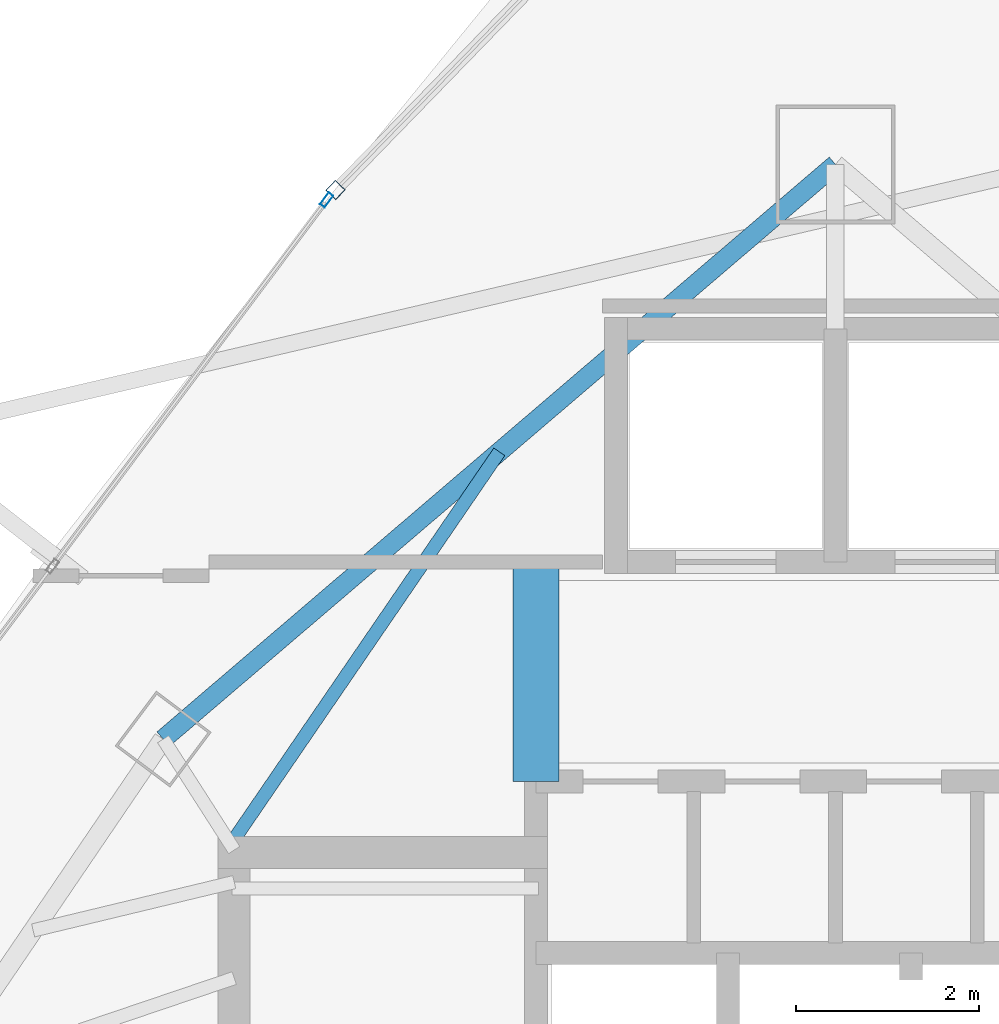
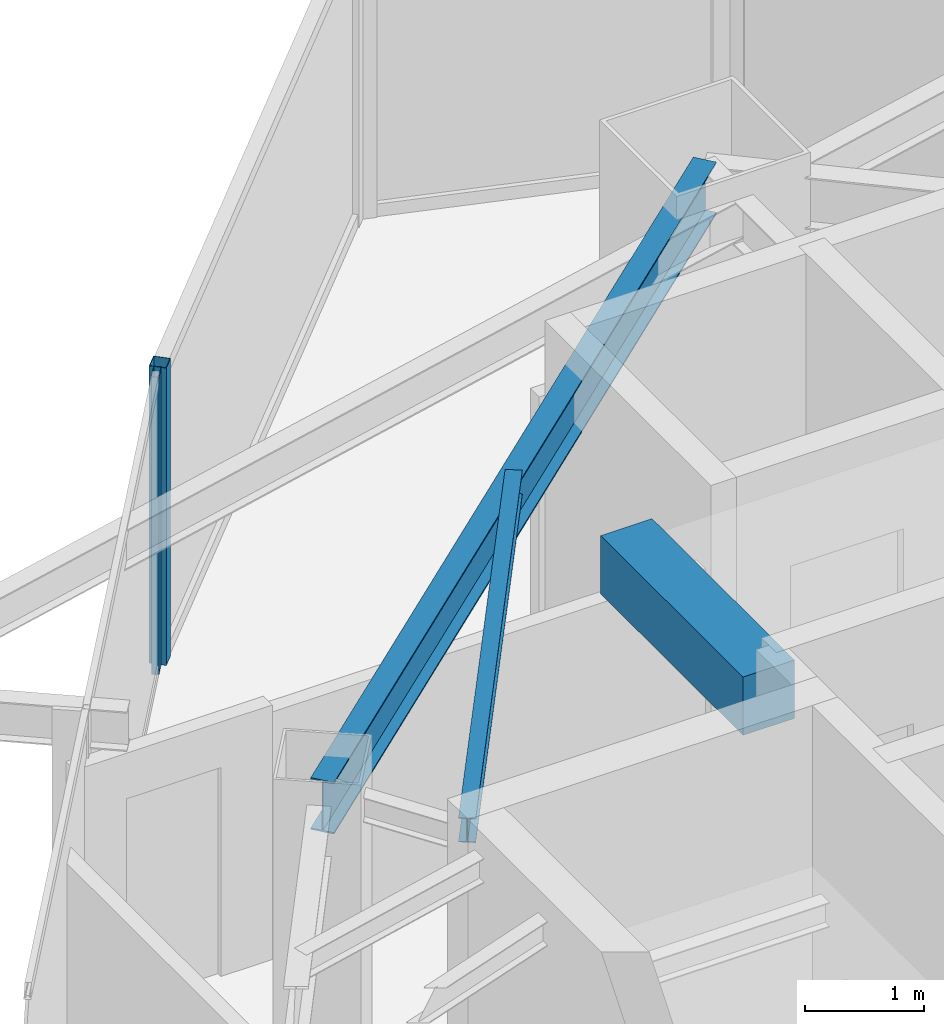
# One storey, part 22 of 32: 3 beams, 2 members, 2 elements without a shape of their own.
"""IFC4 building model written with IfcOpenShell, lengths in metres."""

from ifc_helpers import new_model, si_unit, direction, frame, origin, origin_2d, place, context, subcontext, project, spatial, rectangle, hollow_rectangle, i_section, extrude, material, layer, layer_set, material_profile, profile_set, type_object, element, aggregate, save


model = new_model("IFC4")

# Units and contexts
model_context = context("Model", 3, precision=1e-05, world=origin(), true_north=direction((0.0, 1.0)))
body_context = subcontext(model_context, "Body", "Model", "MODEL_VIEW")
ifc_project = project(units=[si_unit("LENGTHUNIT", "METRE"), si_unit("AREAUNIT", "SQUARE_METRE"), si_unit("VOLUMEUNIT", "CUBIC_METRE"), si_unit("PLANEANGLEUNIT", "RADIAN"), si_unit("MASSUNIT", "GRAM", prefix="KILO")], contexts=[model_context])

# Site, building, storey
site_placement = place(None, origin())
site = spatial("IfcSite", under=ifc_project, at=site_placement, CompositionType="ELEMENT")
building_placement = place(site_placement, origin())
building = spatial("IfcBuilding", under=site, at=building_placement, Name="Orvanel Arch Residences", CompositionType="ELEMENT")
storey_placement = place(building_placement, frame((0.0, 0.0, 219.5)))
storey = spatial("IfcBuildingStorey", under=building, at=storey_placement, Name="L62", CompositionType="ELEMENT", Elevation=219.5)

# Beams
ifc_material_1 = material(Name="Structural steel AS/NZS 3679.1 Grade 300 (300 MPa)", Category="steel")
ifc_material_profile_1 = material_profile(ifc_material_1, i_section(OverallWidth=0.14599609375, OverallDepth=0.251953125, WebThickness=0.006103515625, FlangeThickness=0.008544921875, at=origin_2d()), Name="250UB31.4")
ifc_profile_set_1 = profile_set([ifc_material_profile_1], Name="Structural steel AS/NZS 3679.1 Grade 300 (300 MPa)")
beam_type_1 = type_object("IfcBeamType", Name="BJ-250UB", PredefinedType="JOIST", material=ifc_profile_set_1)
beam_1_placement = place(storey_placement, frame((26.425048828125, 34.02001953125, 2.93408203125), z_axis=(0.564868085352, 0.825181220188, 0.0), x_axis=(-0.825181220188, 0.564868085352, 0.0)))
element("IfcBeam", 1, at=beam_1_placement, inside=storey, type_object=beam_type_1, Name="L62 NNW2 Wing Floor Joist", PredefinedType="JOIST", context=body_context, shape_type="SweptSolid", body=[
    extrude(i_section(OverallWidth=0.14599609375, OverallDepth=0.251953125, WebThickness=0.006103515625, FlangeThickness=0.008544921875, at=origin_2d()), origin(), (0.0, 0.0, 1.0), 5.132080078125),
])
ifc_material_2 = material(Name="Concrete S65 (65 MPa)", Category="concrete")
ifc_material_profile_2 = material_profile(ifc_material_2, rectangle(XDim=0.5, YDim=0.60009765625, at=origin_2d()), Name="RC500x600")
ifc_profile_set_2 = profile_set([ifc_material_profile_2], Name="Concrete S65 (65 MPa)")
beam_type_2 = type_object("IfcBeamType", Name="CB-500x600", PredefinedType="LINTEL", material=ifc_profile_set_2)
beam_2_placement = place(storey_placement, frame((29.72509765625, 34.64990234375, 2.760009765625), z_axis=(0.0, 1.0, 0.0), x_axis=(-1.0, 0.0, 0.0)))
element("IfcBeam", 2, at=beam_2_placement, inside=storey, type_object=beam_type_2, Name="L62 West Core Lobby Coupling Lintel Beam", PredefinedType="LINTEL", context=body_context, shape_type="SweptSolid", body=[
    extrude(rectangle(XDim=0.5, YDim=0.60009765625, at=origin_2d()), origin(), (0.0, 0.0, 1.0), 2.400146484375),
])

# Curtain wall, member
ifc_material_3 = material(Name="Bronze-anodised aluminium AA6063-T6", Category="aluminium")
ifc_layer_1 = layer(ifc_material_3, 0.18994140625)
ifc_layer_set_1 = layer_set([ifc_layer_1], Name="Bronze-anodised aluminium AA6063-T6")
curtain_wall_type_1 = type_object("IfcCurtainWallType", Name="CW5-CRN-SYS", PredefinedType="NOTDEFINED", material=ifc_layer_set_1)
curtain_wall_1_placement = place(storey_placement, origin())
curtain_wall_1 = element("IfcCurtainWall", 3, at=curtain_wall_1_placement, inside=storey, type_object=curtain_wall_type_1, Name="L62 CW5-CRN-SYS Unitised Curtain Wall", PredefinedType="NOTDEFINED")
ifc_material_profile_3 = material_profile(ifc_material_3, hollow_rectangle(XDim=0.14990234375, YDim=0.14990234375, WallThickness=0.0048828125, at=origin_2d()), Name="ALU150x150x5")
ifc_profile_set_3 = profile_set([ifc_material_profile_3], Name="Bronze-anodised aluminium AA6063-T6")
member_type_1 = type_object("IfcMemberType", Name="MUL-150x150", PredefinedType="MULLION", material=ifc_profile_set_3)
member_1_placement = place(storey_placement, frame((27.533203125, 41.11767578125, 0.0), z_axis=(0.0, 0.0, 1.0), x_axis=(0.717266764401, -0.696798671558, 0.0)))
member_1 = element("IfcMember", 4, at=member_1_placement, type_object=member_type_1, Name="CW-S5 mullion 2", PredefinedType="MULLION", context=body_context, shape_type="SweptSolid", body=[
    extrude(hollow_rectangle(XDim=0.14990234375, YDim=0.14990234375, WallThickness=0.0048828125, at=origin_2d()), origin(), (0.0, 0.0, 1.0), 3.06005859375),
])
aggregate(curtain_wall_1, [member_1])

ifc_layer_2 = layer(ifc_material_3, 0.175048828125)
ifc_layer_set_2 = layer_set([ifc_layer_2], Name="Bronze-anodised aluminium AA6063-T6")
curtain_wall_type_2 = type_object("IfcCurtainWallType", Name="CW4-HI-SYS", PredefinedType="NOTDEFINED", material=ifc_layer_set_2)
curtain_wall_2_placement = place(storey_placement, origin())
curtain_wall_2 = element("IfcCurtainWall", 5, at=curtain_wall_2_placement, inside=storey, type_object=curtain_wall_type_2, Name="L62 CW4-HI-SYS Unitised Curtain Wall", PredefinedType="NOTDEFINED")
ifc_material_profile_4 = material_profile(ifc_material_3, hollow_rectangle(XDim=0.06494140625, YDim=0.159912109375, WallThickness=0.00390625, at=origin_2d()), Name="ALU160x65x4")
ifc_profile_set_4 = profile_set([ifc_material_profile_4], Name="Bronze-anodised aluminium AA6063-T6")
member_type_2 = type_object("IfcMemberType", Name="MUL-160x65", PredefinedType="MULLION", material=ifc_profile_set_4)
member_2_placement = place(storey_placement, frame((27.435546875, 41.008056640625, 0.0), z_axis=(0.0, 0.0, 1.0), x_axis=(0.800476458044, -0.599364196559, 0.0)))
member_2 = element("IfcMember", 6, at=member_2_placement, type_object=member_type_2, Name="CW-S4 mullion 1", PredefinedType="MULLION", context=body_context, shape_type="SweptSolid", body=[
    extrude(hollow_rectangle(XDim=0.06494140625, YDim=0.159912109375, WallThickness=0.00390625, at=origin_2d()), origin(), (0.0, 0.0, 1.0), 3.06005859375),
])
aggregate(curtain_wall_2, [member_2])

# Beam
ifc_material_profile_5 = material_profile(ifc_material_1, i_section(OverallWidth=0.208984375, OverallDepth=0.532958984375, WebThickness=0.01025390625, FlangeThickness=0.015625, at=origin_2d()), Name="530UB92.4")
ifc_profile_set_5 = profile_set([ifc_material_profile_5], Name="Structural steel AS/NZS 3679.1 Grade 300 (300 MPa)")
beam_type_3 = type_object("IfcBeamType", Name="SP-530UB", PredefinedType="SPANDREL", material=ifc_profile_set_5)
beam_3_placement = place(storey_placement, frame((33.0, 41.39794921875, 2.79296875), z_axis=(-0.760116518398, -0.649786794617, 0.0), x_axis=(0.649786794617, -0.760116518398, 0.0)))
element("IfcBeam", 7, at=beam_3_placement, inside=storey, type_object=beam_type_3, Name="L62 Perimeter Spandrel Beam 10", PredefinedType="SPANDREL", context=body_context, shape_type="SweptSolid", body=[
    extrude(i_section(OverallWidth=0.208984375, OverallDepth=0.532958984375, WebThickness=0.01025390625, FlangeThickness=0.015625, at=origin_2d()), origin(), (0.0, 0.0, 1.0), 9.67236328125),
])

save(model, "model.ifc")
